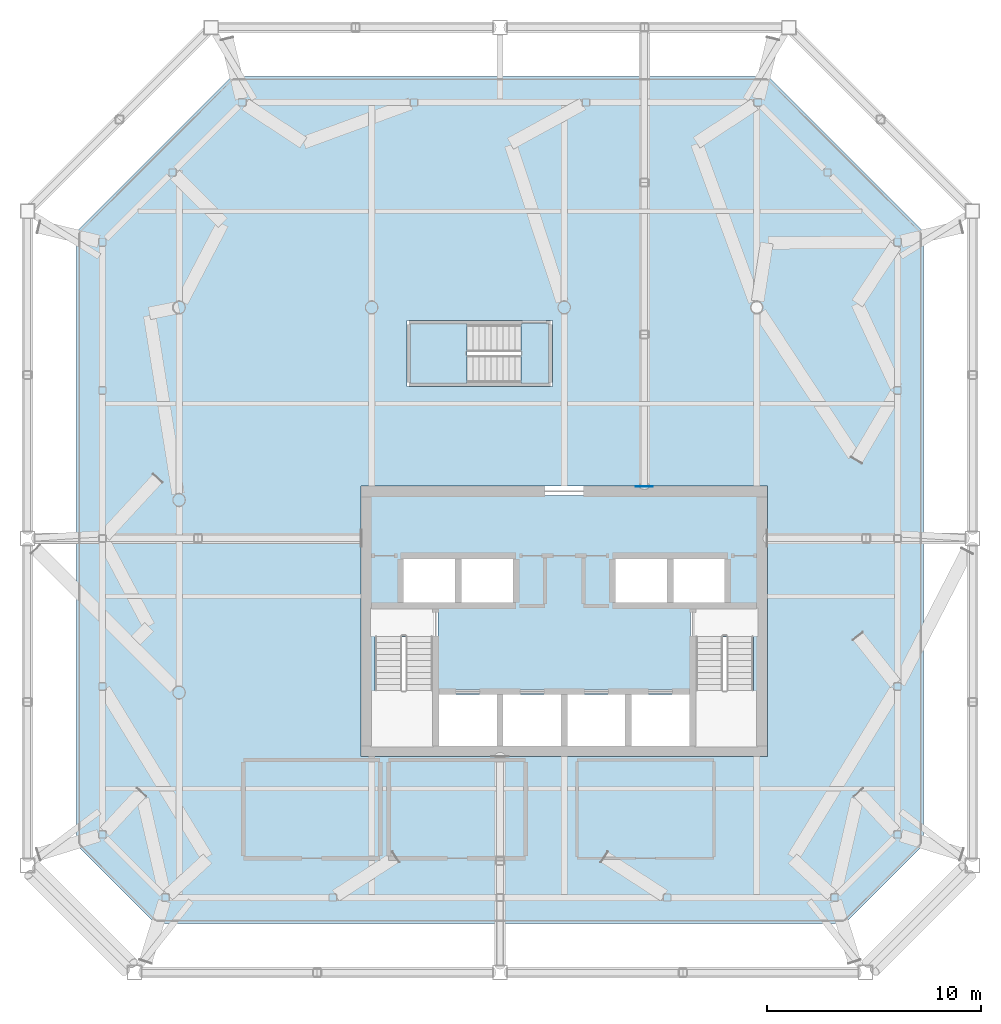
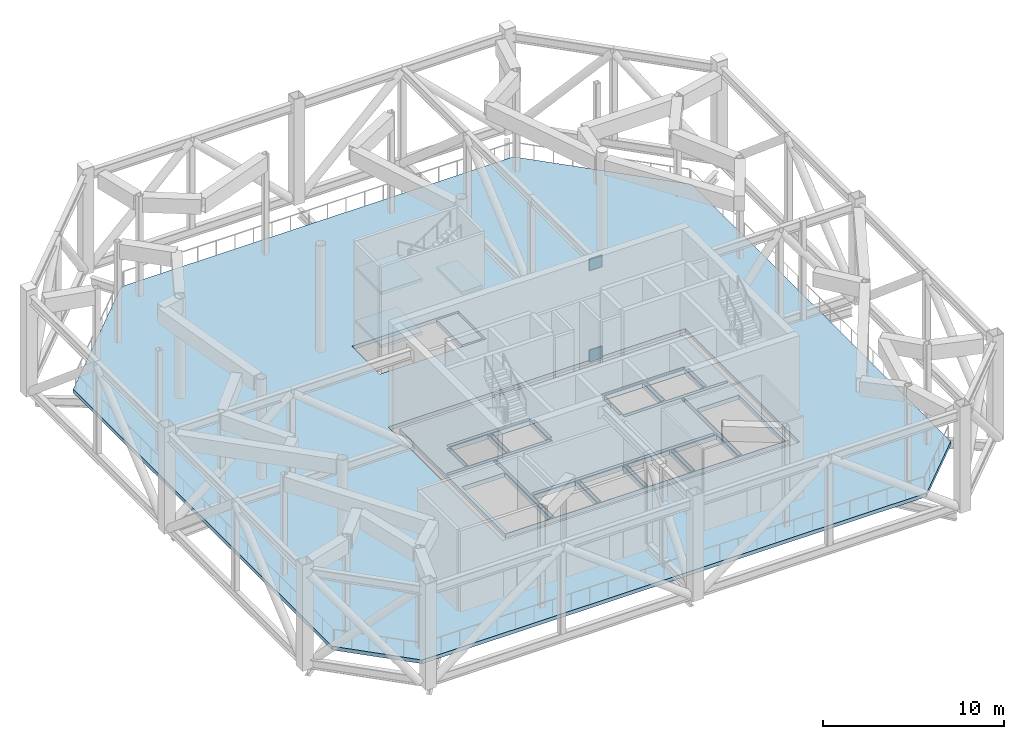
# One storey, part 8 of 17: 6 slabs, 2 plates, 1 element without a shape of its own.
"""IFC4 building model written with IfcOpenShell, lengths in metres."""

from ifc_helpers import new_model, si_unit, direction, frame, origin, origin_2d, place, context, subcontext, project, spatial, polyline, rectangle, outline, extrude, material, layer, layer_set, material_profile, profile_set, type_object, element, aggregate, save


model = new_model("IFC4")

# Units and contexts
model_context = context("Model", 3, precision=1e-05, world=origin(), true_north=direction((0.0, 1.0)))
body_context = subcontext(model_context, "Body", "Model", "MODEL_VIEW")
ifc_project = project(units=[si_unit("LENGTHUNIT", "METRE"), si_unit("AREAUNIT", "SQUARE_METRE"), si_unit("VOLUMEUNIT", "CUBIC_METRE"), si_unit("PLANEANGLEUNIT", "RADIAN"), si_unit("MASSUNIT", "GRAM", prefix="KILO")], contexts=[model_context])

# Site, building, storey
site_placement = place(None, origin())
site = spatial("IfcSite", under=ifc_project, at=site_placement, CompositionType="ELEMENT")
building_placement = place(site_placement, origin())
building = spatial("IfcBuilding", under=site, at=building_placement, Name="Tskaro Facet Tower", CompositionType="ELEMENT")
storey_placement = place(building_placement, frame((0.0, 0.0, 210.0)))
storey = spatial("IfcBuildingStorey", under=building, at=storey_placement, Name="L54", CompositionType="ELEMENT", Elevation=210.0)

# Plates
ifc_material_1 = material(Name="Steel S355J2", Category="steel")
ifc_material_profile = material_profile(ifc_material_1, rectangle(XDim=0.800048828125, YDim=0.800048828125, at=origin_2d()), Name="PL 800x800x30 cast-in plate")
ifc_profile_set = profile_set([ifc_material_profile], Name="Steel S355J2")
plate_type = type_object("IfcPlateType", Name="PL 800x800x30 cast-in plate", PredefinedType="SHEET", material=ifc_profile_set)
for number, where, z_axis, x_axis, name in (
    (1, (3.74853515625, 0.6201171875, 6.469970703125), (0.0, 1.0, 0.0), (-1.0, 0.0, 0.0), "Cast-in plate AP1-23"),
    (2, (3.74853515625, 0.6201171875, 0.31005859375), (0.0, 1.0, 0.0), (-1.0, 0.0, 0.0), "Cast-in plate AP1-24"),
):
    element("IfcPlate", number, at=place(storey_placement, frame(where, z_axis=z_axis, x_axis=x_axis)), inside=storey, type_object=plate_type, Name=name, PredefinedType="SHEET", context=body_context, shape_type="SweptSolid", body=[
        extrude(rectangle(XDim=0.800048828125, YDim=0.800048828125, at=origin_2d()), origin(), (0.0, 0.0, 1.0), 0.02978515625),
    ])

# Stair, slabs
ifc_material_2 = material(Name="Concrete C40/50", Category="concrete")
stair_type = type_object("IfcStairType", Name="ST-TWR", PredefinedType="HALF_TURN_STAIR", material=ifc_material_2)
stair_placement = place(storey_placement, origin())
stair = element("IfcStair", 3, at=stair_placement, inside=storey, type_object=stair_type, Name="L54 Exit stair 3", PredefinedType="HALF_TURN_STAIR")
ifc_layer_1 = layer(ifc_material_2, 0.199951171875, Name="Concrete C40/50")
ifc_layer_set_1 = layer_set([ifc_layer_1], Name="Concrete C40/50")
slab_type_1 = type_object("IfcSlabType", Name="SL-LANDING", PredefinedType="LANDING", material=ifc_layer_set_1)
slab_1_placement = place(storey_placement, frame((0.0, 0.0, 1.60009765625)))
slab_1 = element("IfcSlab", 4, at=slab_1_placement, type_object=slab_type_1, Name="ST-3 landing 1", PredefinedType="LANDING", context=body_context, shape_type="SweptSolid", body=[
    extrude(outline(polyline([(-7.199951171875, 5.449951171875), (-4.544921875, 5.449951171875), (-4.544921875, 8.25), (-7.199951171875, 8.25), (-7.199951171875, 5.449951171875)])), origin(), (0.0, 0.0, 1.0), 0.199951171875),
])
slab_2_placement = place(storey_placement, frame((0.0, 0.0, 3.39990234375)))
slab_2 = element("IfcSlab", 5, at=slab_2_placement, type_object=slab_type_1, Name="ST-3 landing 2", PredefinedType="LANDING", context=body_context, shape_type="SweptSolid", body=[
    extrude(outline(polyline([(-2.02490234375, 5.449951171875), (-0.699951171875, 5.449951171875), (-0.699951171875, 8.25), (-2.02490234375, 8.25), (-2.02490234375, 5.449951171875)])), origin(), (0.0, 0.0, 1.0), 0.2001953125),
])
slab_3_placement = place(storey_placement, frame((0.0, 0.0, 5.199951171875)))
slab_3 = element("IfcSlab", 6, at=slab_3_placement, type_object=slab_type_1, Name="ST-3 landing 3", PredefinedType="LANDING", context=body_context, shape_type="SweptSolid", body=[
    extrude(outline(polyline([(-7.199951171875, 5.449951171875), (-4.544921875, 5.449951171875), (-4.544921875, 8.25), (-7.199951171875, 8.25), (-7.199951171875, 5.449951171875)])), origin(), (0.0, 0.0, 1.0), 0.199951171875),
])
aggregate(stair, [slab_1, slab_2, slab_3])

# Slabs
ifc_material_3 = material(Name="Concrete C60/75", Category="concrete")
ifc_layer_2 = layer(ifc_material_3, 0.300048828125, Name="Concrete C60/75")
ifc_layer_set_2 = layer_set([ifc_layer_2], Name="Concrete C60/75")
slab_type_2 = type_object("IfcSlabType", Name="SLAB-CORE", PredefinedType="FLOOR", material=ifc_layer_set_2)
slab_4_placement = place(storey_placement, frame((0.0, 0.0, -0.300048828125)))
element("IfcSlab", 7, at=slab_4_placement, inside=storey, type_object=slab_type_2, Name="Core floor slab 1", PredefinedType="FLOOR", context=body_context, shape_type="SweptSolid", body=[
    extrude(outline(polyline([(-9.050048828125, 0.199951171875), (9.050048828125, 0.199951171875), (9.050048828125, 0.10009765625), (9.050048828125, -11.449951171875), (9.050048828125, -11.550048828125), (-9.050048828125, -11.550048828125), (-9.050048828125, -11.449951171875), (-9.050048828125, 0.10009765625), (-9.050048828125, 0.199951171875)]), holes=[polyline([(-5.85009765625, -9.10009765625), (-5.85009765625, -11.5), (-3.14990234375, -11.5), (-3.14990234375, -9.10009765625), (-5.85009765625, -9.10009765625)]), polyline([(-3.10009765625, -11.449951171875), (-2.89990234375, -11.449951171875), (-2.89990234375, -9.14990234375), (-3.10009765625, -9.14990234375), (-3.10009765625, -11.449951171875)]), polyline([(-2.85009765625, -9.10009765625), (-2.85009765625, -11.5), (-0.14990234375, -11.5), (-0.14990234375, -9.10009765625), (-2.85009765625, -9.10009765625)]), polyline([(-6.10009765625, -11.449951171875), (-5.89990234375, -11.449951171875), (-5.89990234375, -5.14990234375), (-6.10009765625, -5.14990234375), (-6.10009765625, -11.449951171875)]), polyline([(-8.949951171875, -5.050048828125), (-2.300048828125, -5.050048828125), (-2.300048828125, -4.85009765625), (-8.949951171875, -4.85009765625), (-8.949951171875, -5.050048828125)]), polyline([(-7.75, -4.75), (-7.550048828125, -4.75), (-7.550048828125, -2.800048828125), (-7.75, -2.800048828125), (-7.75, -4.75)]), polyline([(-7.5, -4.800048828125), (-5.10009765625, -4.800048828125), (-5.10009765625, -2.75), (-7.5, -2.75), (-7.5, -4.800048828125)]), polyline([(-5.050048828125, -4.75), (-4.85009765625, -4.75), (-4.85009765625, -2.800048828125), (-5.050048828125, -2.800048828125), (-5.050048828125, -4.75)]), polyline([(-2.39990234375, -4.800048828125), (-2.39990234375, -2.75), (-4.800048828125, -2.75), (-4.800048828125, -4.800048828125), (-2.39990234375, -4.800048828125)]), polyline([(-2.35009765625, -4.75), (-2.14990234375, -4.75), (-2.14990234375, -2.800048828125), (-2.35009765625, -2.800048828125), (-2.35009765625, -4.75)]), polyline([(-7.60009765625, -2.699951171875), (-2.300048828125, -2.699951171875), (-2.300048828125, -2.5), (-7.60009765625, -2.5), (-7.60009765625, -2.699951171875)]), polyline([(-0.10009765625, -11.449951171875), (0.10009765625, -11.449951171875), (0.10009765625, -9.14990234375), (-0.10009765625, -9.14990234375), (-0.10009765625, -11.449951171875)]), polyline([(0.14990234375, -9.10009765625), (0.14990234375, -11.5), (2.85009765625, -11.5), (2.85009765625, -9.10009765625), (0.14990234375, -9.10009765625)]), polyline([(2.89990234375, -11.449951171875), (3.10009765625, -11.449951171875), (3.10009765625, -9.14990234375), (2.89990234375, -9.14990234375), (2.89990234375, -11.449951171875)]), polyline([(3.14990234375, -9.10009765625), (3.14990234375, -11.5), (5.85009765625, -11.5), (5.85009765625, -9.10009765625), (3.14990234375, -9.10009765625)]), polyline([(-5.800048828125, -9.050048828125), (5.800048828125, -9.050048828125), (5.800048828125, -8.85009765625), (-5.800048828125, -8.85009765625), (-5.800048828125, -9.050048828125)]), polyline([(5.89990234375, -11.449951171875), (6.10009765625, -11.449951171875), (6.10009765625, -5.14990234375), (5.89990234375, -5.14990234375), (5.89990234375, -11.449951171875)]), polyline([(2.300048828125, -5.050048828125), (8.949951171875, -5.050048828125), (8.949951171875, -4.85009765625), (2.300048828125, -4.85009765625), (2.300048828125, -5.050048828125)]), polyline([(2.14990234375, -4.75), (2.35009765625, -4.75), (2.35009765625, -2.800048828125), (2.14990234375, -2.800048828125), (2.14990234375, -4.75)]), polyline([(4.800048828125, -4.800048828125), (4.800048828125, -2.75), (2.39990234375, -2.75), (2.39990234375, -4.800048828125), (4.800048828125, -4.800048828125)]), polyline([(4.85009765625, -4.75), (5.050048828125, -4.75), (5.050048828125, -2.800048828125), (4.85009765625, -2.800048828125), (4.85009765625, -4.75)]), polyline([(7.5, -4.800048828125), (7.5, -2.75), (5.10009765625, -2.75), (5.10009765625, -4.800048828125), (7.5, -4.800048828125)]), polyline([(7.550048828125, -4.75), (7.75, -4.75), (7.75, -2.800048828125), (7.550048828125, -2.800048828125), (7.550048828125, -4.75)]), polyline([(2.300048828125, -2.699951171875), (7.60009765625, -2.699951171875), (7.60009765625, -2.5), (2.300048828125, -2.5), (2.300048828125, -2.699951171875)]), polyline([(-8.85009765625, -11.5), (-6.14990234375, -11.5), (-6.14990234375, -6.39501953125), (-8.85009765625, -6.39501953125), (-8.85009765625, -11.5)]), polyline([(6.14990234375, -6.39501953125), (6.14990234375, -11.5), (8.85009765625, -11.5), (8.85009765625, -6.39501953125), (6.14990234375, -6.39501953125)])]), origin(), (0.0, 0.0, 1.0), 0.300048828125),
])
slab_5_placement = place(storey_placement, frame((0.0, 0.0, -0.300048828125)))
element("IfcSlab", 8, at=slab_5_placement, inside=storey, type_object=slab_type_2, Name="Stair 3 floor landing 1", PredefinedType="FLOOR", context=body_context, shape_type="SweptSolid", body=[
    extrude(outline(polyline([(-2.02490234375, 5.449951171875), (-0.699951171875, 5.449951171875), (-0.699951171875, 8.25), (-2.02490234375, 8.25), (-2.02490234375, 5.449951171875)])), origin(), (0.0, 0.0, 1.0), 0.300048828125),
])
ifc_material_4 = material(Name="Concrete C35/45", Category="concrete")
ifc_layer_3 = layer(ifc_material_4, 0.25, Name="Concrete C35/45")
ifc_layer_set_3 = layer_set([ifc_layer_3], Name="Concrete C35/45")
slab_type_3 = type_object("IfcSlabType", Name="Transition floor slab", PredefinedType="FLOOR", material=ifc_layer_set_3)
slab_6_placement = place(storey_placement, frame((0.0, 0.0, -0.25)))
element("IfcSlab", 9, at=slab_6_placement, inside=storey, type_object=slab_type_3, Name="Floor slab FS4 L54", PredefinedType="FLOOR", context=body_context, shape_type="SweptSolid", body=[
    extrude(outline(polyline([(-19.1298828125, -19.782958984375), (13.1298828125, -19.782958984375), (16.782958984375, -16.1298828125), (16.782958984375, 12.54296875), (9.54296875, 19.782958984375), (-15.54296875, 19.782958984375), (-22.782958984375, 12.54296875), (-22.782958984375, -16.1298828125), (-19.1298828125, -19.782958984375)]), holes=[polyline([(-9.5, -12.0), (9.5, -12.0), (9.5, 0.64990234375), (-9.5, 0.64990234375), (-9.5, -12.0)]), polyline([(-7.35009765625, 5.300048828125), (-0.550048828125, 5.300048828125), (-0.550048828125, 8.39990234375), (-7.35009765625, 8.39990234375), (-7.35009765625, 5.300048828125)])]), origin(), (0.0, 0.0, 1.0), 0.25),
])

save(model, "model.ifc")
